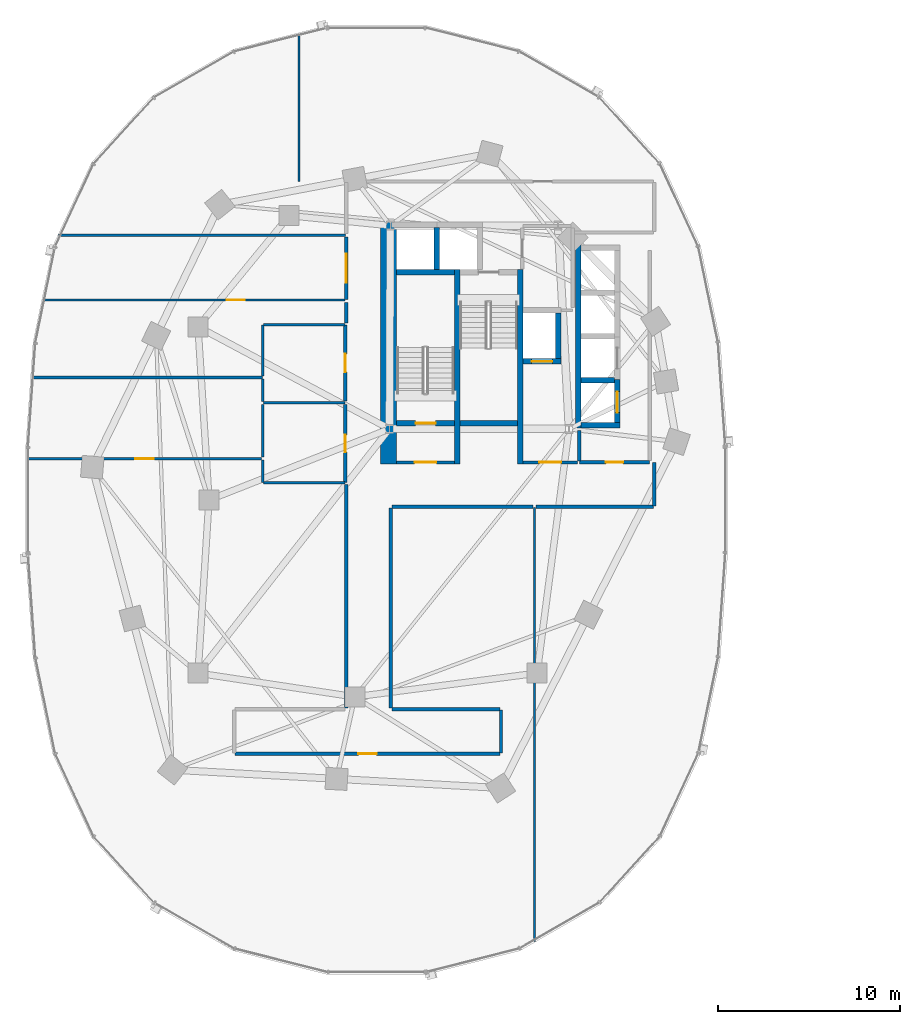
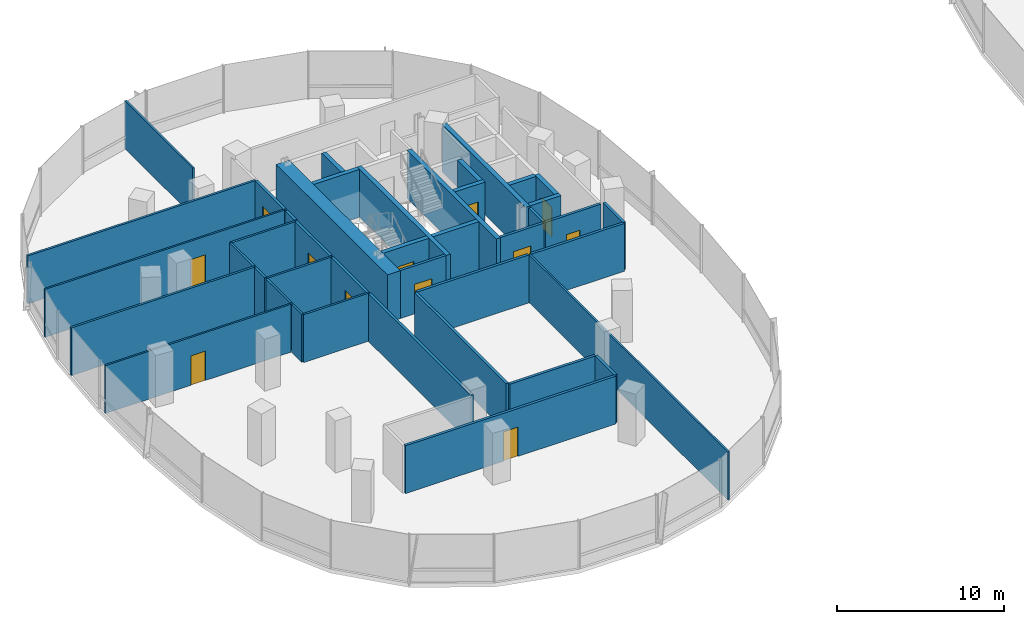
# One storey, part 11 of 21: 42 walls, 12 doors, 12 openings.
"""IFC4 building model written with IfcOpenShell, lengths in metres."""

from ifc_helpers import new_model, si_unit, direction, frame, frame_2d, origin, place, context, subcontext, project, spatial, rectangle, extrude, material, layer, layer_set, type_object, element, fill, save


model = new_model("IFC4")

# Units and contexts
model_context = context("Model", 3, precision=1e-05, world=origin(), true_north=direction((0.0, 1.0)))
body_context = subcontext(model_context, "Body", "Model", "MODEL_VIEW")
ifc_project = project(units=[si_unit("LENGTHUNIT", "METRE"), si_unit("AREAUNIT", "SQUARE_METRE"), si_unit("VOLUMEUNIT", "CUBIC_METRE"), si_unit("PLANEANGLEUNIT", "RADIAN"), si_unit("MASSUNIT", "GRAM", prefix="KILO"), si_unit("THERMODYNAMICTEMPERATUREUNIT", "KELVIN"), si_unit("POWERUNIT", "WATT")], contexts=[model_context])

# Site, building, storey
site_placement = place(None, origin())
site = spatial("IfcSite", under=ifc_project, at=site_placement, CompositionType="ELEMENT")
building_placement = place(site_placement, origin())
building = spatial("IfcBuilding", under=site, at=building_placement, Name="Cundina Bronze Exchange", CompositionType="ELEMENT")
storey_placement = place(building_placement, frame((0.0, 0.0, 31.60009765625)))
storey = spatial("IfcBuildingStorey", under=building, at=storey_placement, Name="L07", CompositionType="ELEMENT", Elevation=31.60009765625)

# Wall
ifc_material_1 = material(Name="Gypsum Fireboard Partition EI120")
ifc_layer_1 = layer(ifc_material_1, 0.179931640625, Name="Gypsum Fireboard Partition EI120")
ifc_layer_set_1 = layer_set([ifc_layer_1], Name="Gypsum Fireboard Partition EI120")
wall_type_1 = type_object("IfcWallType", Name="WL-COR-180", PredefinedType="PARTITIONING", material=ifc_layer_set_1)
wall_1_placement = place(storey_placement, frame((-20.889892578125, 2.14990234375, 0.0), z_axis=(0.0, 0.0, 1.0), x_axis=(0.0, 1.0, 0.0)))
element("IfcWall", 1, at=wall_1_placement, inside=storey, type_object=wall_type_1, Name="L07 W Firefighting Lobby Side Wall", PredefinedType="PARTITIONING", context=body_context, shape_type="SweptSolid", body=[
    extrude(rectangle(XDim=1.650146484375, YDim=0.179931640625, at=frame_2d((0.8251953125, 0.0))), origin(), (0.0, 0.0, 1.0), 3.5),
])

# Wall, opening, door
wall_2_placement = place(storey_placement, frame((-23.97998046875, 2.06005859375, 0.0), z_axis=(0.0, 0.0, 1.0), x_axis=(1.0, 0.0, 0.0)))
wall_2 = element("IfcWall", 2, at=wall_2_placement, inside=storey, type_object=wall_type_1, Name="L07 W Firefighting Lobby Exit Wall", PredefinedType="PARTITIONING", context=body_context, shape_type="SweptSolid", body=[
    extrude(rectangle(XDim=3.0, YDim=0.179931640625, at=frame_2d((1.5, 0.0))), origin(), (0.0, 0.0, 1.0), 3.5),
])
opening_1_placement = place(wall_2_placement, frame((0.89990234375, 0.0, 0.0)))
opening_1 = element("IfcOpeningElement", 3, at=opening_1_placement, cuts=wall_2, Name="Opening DF-01", PredefinedType="OPENING", context=body_context, shape_type="SweptSolid", body=[
    extrude(rectangle(XDim=1.199951171875, YDim=2.14990234375, at=frame_2d((0.60009765625, 1.074951171875))), frame((0.0, 0.099853515625, 0.0), z_axis=(0.0, -1.0, 0.0), x_axis=(1.0, 0.0, 0.0)), (0.0, 0.0, 1.0), 0.199951171875),
])
ifc_material_2 = material(Name="Steel ASTM A36 Painted", Category="steel")
door_type_1 = type_object("IfcDoorType", Name="DR-FFL-1200", OperationType="NOTDEFINED", PredefinedType="DOOR", material=ifc_material_2)
door_1_placement = place(opening_1_placement, origin())
door_1 = element("IfcDoor", 4, at=door_1_placement, inside=storey, type_object=door_type_1, Name="L07 W Firefighting Lobby Door", OperationType="SINGLE_SWING_RIGHT", OverallHeight=2.14990234375, OverallWidth=1.199951171875, PredefinedType="DOOR", context=body_context, shape_type="SweptSolid", body=[
    extrude(rectangle(XDim=1.199951171875, YDim=2.14990234375, at=frame_2d((0.60009765625, 1.074951171875))), frame((0.0, 0.02490234375, 0.0), z_axis=(0.0, -1.0, 0.0), x_axis=(1.0, 0.0, 0.0)), (0.0, 0.0, 1.0), 0.050048828125),
])
fill(opening_1, door_1)

wall_3_placement = place(storey_placement, frame((-30.89990234375, 2.06005859375, 0.0), z_axis=(0.0, 0.0, 1.0), x_axis=(1.0, 0.0, 0.0)))
wall_3 = element("IfcWall", 5, at=wall_3_placement, inside=storey, type_object=wall_type_1, Name="L07 W Stair Vestibule Exit Wall", PredefinedType="PARTITIONING", context=body_context, shape_type="SweptSolid", body=[
    extrude(rectangle(XDim=3.159912109375, YDim=0.179931640625, at=frame_2d((1.580078125, 0.0))), origin(), (0.0, 0.0, 1.0), 3.5),
])
opening_2_placement = place(wall_3_placement, frame((0.97998046875, 0.0, 0.0)))
opening_2 = element("IfcOpeningElement", 6, at=opening_2_placement, cuts=wall_3, Name="Opening DF-01", PredefinedType="OPENING", context=body_context, shape_type="SweptSolid", body=[
    extrude(rectangle(XDim=1.199951171875, YDim=2.14990234375, at=frame_2d((0.60009765625, 1.074951171875))), frame((0.0, 0.099853515625, 0.0), z_axis=(0.0, -1.0, 0.0), x_axis=(1.0, 0.0, 0.0)), (0.0, 0.0, 1.0), 0.199951171875),
])
door_2_placement = place(opening_2_placement, origin())
door_2 = element("IfcDoor", 7, at=door_2_placement, inside=storey, type_object=door_type_1, Name="L07 W Stair Vestibule Door", OperationType="SINGLE_SWING_LEFT", OverallHeight=2.14990234375, OverallWidth=1.199951171875, PredefinedType="DOOR", context=body_context, shape_type="SweptSolid", body=[
    extrude(rectangle(XDim=1.199951171875, YDim=2.14990234375, at=frame_2d((0.60009765625, 1.074951171875))), frame((0.0, 0.02490234375, 0.0), z_axis=(0.0, -1.0, 0.0), x_axis=(1.0, 0.0, 0.0)), (0.0, 0.0, 1.0), 0.050048828125),
])
fill(opening_2, door_2)

wall_4_placement = place(storey_placement, frame((-20.8701171875, 2.070068359375, 0.0), z_axis=(0.0, 0.0, 1.0), x_axis=(1.0, 0.0, 0.0)))
wall_4 = element("IfcWall", 8, at=wall_4_placement, inside=storey, type_object=wall_type_1, Name="L07 Interior Partition 002", PredefinedType="PARTITIONING", context=body_context, shape_type="SweptSolid", body=[
    extrude(rectangle(XDim=3.830078125, YDim=0.179931640625, at=frame_2d((1.9150390625, 0.0))), origin(), (0.0, 0.0, 1.0), 3.5),
])
opening_3_placement = place(wall_4_placement, frame((1.43994140625, 0.0, 0.0)))
opening_3 = element("IfcOpeningElement", 9, at=opening_3_placement, cuts=wall_4, Name="Opening DW-01", PredefinedType="OPENING", context=body_context, shape_type="SweptSolid", body=[
    extrude(rectangle(XDim=0.949951171875, YDim=2.10009765625, at=frame_2d((0.47509765625, 1.050048828125))), frame((0.0, 0.099853515625, 0.0), z_axis=(0.0, -1.0, 0.0), x_axis=(1.0, 0.0, 0.0)), (0.0, 0.0, 1.0), 0.199951171875),
])
ifc_material_3 = material(Name="Solid Andean Oak Timber Grade A", Category="wood")
door_type_2 = type_object("IfcDoorType", Name="DR-WC-950", OperationType="NOTDEFINED", PredefinedType="DOOR", material=ifc_material_3)
door_3_placement = place(opening_3_placement, origin())
door_3 = element("IfcDoor", 10, at=door_3_placement, inside=storey, type_object=door_type_2, Name="L07 Interior Door 002", OperationType="SINGLE_SWING_LEFT", OverallHeight=2.10009765625, OverallWidth=0.949951171875, PredefinedType="DOOR", context=body_context, shape_type="SweptSolid", body=[
    extrude(rectangle(XDim=0.949951171875, YDim=2.10009765625, at=frame_2d((0.47509765625, 1.050048828125))), frame((0.0, 0.02490234375, 0.0), z_axis=(0.0, -1.0, 0.0), x_axis=(1.0, 0.0, 0.0)), (0.0, 0.0, 1.0), 0.050048828125),
])
fill(opening_3, door_3)

wall_5_placement = place(storey_placement, frame((-33.719970703125, 0.969970703125, 0.0), z_axis=(0.0, 0.0, 1.0), x_axis=(0.0, 1.0, 0.0)))
wall_5 = element("IfcWall", 11, at=wall_5_placement, inside=storey, type_object=wall_type_1, Name="L07 Interior Partition 014", PredefinedType="PARTITIONING", context=body_context, shape_type="SweptSolid", body=[
    extrude(rectangle(XDim=4.260009765625, YDim=0.179931640625, at=frame_2d((2.1298828125, 0.0))), origin(), (0.0, 0.0, 1.0), 3.5),
])
opening_4_placement = place(wall_5_placement, frame((1.655029296875, 0.0, 0.0)))
opening_4 = element("IfcOpeningElement", 12, at=opening_4_placement, cuts=wall_5, Name="Opening DW-01", PredefinedType="OPENING", context=body_context, shape_type="SweptSolid", body=[
    extrude(rectangle(XDim=0.949951171875, YDim=2.10009765625, at=frame_2d((0.47509765625, 1.050048828125))), frame((0.0, 0.099853515625, 0.0), z_axis=(0.0, -1.0, 0.0), x_axis=(1.0, 0.0, 0.0)), (0.0, 0.0, 1.0), 0.199951171875),
])
door_4_placement = place(opening_4_placement, origin())
door_4 = element("IfcDoor", 13, at=door_4_placement, inside=storey, type_object=door_type_2, Name="L07 Interior Door 014", OperationType="SINGLE_SWING_LEFT", OverallHeight=2.10009765625, OverallWidth=0.949951171875, PredefinedType="DOOR", context=body_context, shape_type="SweptSolid", body=[
    extrude(rectangle(XDim=0.949951171875, YDim=2.10009765625, at=frame_2d((0.47509765625, 1.050048828125))), frame((0.0, 0.02490234375, 0.0), z_axis=(0.0, -1.0, 0.0), x_axis=(1.0, 0.0, 0.0)), (0.0, 0.0, 1.0), 0.050048828125),
])
fill(opening_4, door_4)

wall_6_placement = place(storey_placement, frame((-33.719970703125, 5.429931640625, 0.0), z_axis=(0.0, 0.0, 1.0), x_axis=(0.0, 1.0, 0.0)))
wall_6 = element("IfcWall", 14, at=wall_6_placement, inside=storey, type_object=wall_type_1, Name="L07 Interior Partition 015", PredefinedType="PARTITIONING", context=body_context, shape_type="SweptSolid", body=[
    extrude(rectangle(XDim=4.16015625, YDim=0.179931640625, at=frame_2d((2.080078125, 0.0))), origin(), (0.0, 0.0, 1.0), 3.5),
])
opening_5_placement = place(wall_6_placement, frame((1.580078125, 0.0, 0.0)))
opening_5 = element("IfcOpeningElement", 15, at=opening_5_placement, cuts=wall_6, Name="Opening DO-01", PredefinedType="OPENING", context=body_context, shape_type="SweptSolid", body=[
    extrude(rectangle(XDim=1.0, YDim=2.14990234375, at=frame_2d((0.5, 1.074951171875))), frame((0.0, 0.099853515625, 0.0), z_axis=(0.0, -1.0, 0.0), x_axis=(1.0, 0.0, 0.0)), (0.0, 0.0, 1.0), 0.199951171875),
])
door_type_3 = type_object("IfcDoorType", Name="DR-OFF-1000", OperationType="NOTDEFINED", PredefinedType="DOOR", material=ifc_material_3)
door_5_placement = place(opening_5_placement, origin())
door_5 = element("IfcDoor", 16, at=door_5_placement, inside=storey, type_object=door_type_3, Name="L07 Interior Door 015", OperationType="SINGLE_SWING_LEFT", OverallHeight=2.14990234375, OverallWidth=1.0, PredefinedType="DOOR", context=body_context, shape_type="SweptSolid", body=[
    extrude(rectangle(XDim=1.0, YDim=2.14990234375, at=frame_2d((0.5, 1.074951171875))), frame((0.0, 0.02490234375, 0.0), z_axis=(0.0, -1.0, 0.0), x_axis=(1.0, 0.0, 0.0)), (0.0, 0.0, 1.0), 0.050048828125),
])
fill(opening_5, door_5)

wall_7_placement = place(storey_placement, frame((-39.778564453125, -13.919921875, 0.0), z_axis=(0.0, 0.0, 1.0), x_axis=(1.0, 0.0, 0.0)))
wall_7 = element("IfcWall", 17, at=wall_7_placement, inside=storey, type_object=wall_type_1, Name="L07 Interior Partition 020", PredefinedType="PARTITIONING", context=body_context, shape_type="SweptSolid", body=[
    extrude(rectangle(XDim=14.55712890625, YDim=0.179931640625, at=frame_2d((7.278564453125, 0.0))), origin(), (0.0, 0.0, 1.0), 3.5),
])
opening_6_placement = place(wall_7_placement, frame((6.778564453125, 0.0, 0.0)))
opening_6 = element("IfcOpeningElement", 18, at=opening_6_placement, cuts=wall_7, Name="Opening DO-01", PredefinedType="OPENING", context=body_context, shape_type="SweptSolid", body=[
    extrude(rectangle(XDim=1.0, YDim=2.14990234375, at=frame_2d((0.5, 1.074951171875))), frame((0.0, 0.099853515625, 0.0), z_axis=(0.0, -1.0, 0.0), x_axis=(1.0, 0.0, 0.0)), (0.0, 0.0, 1.0), 0.199951171875),
])
door_6_placement = place(opening_6_placement, origin())
door_6 = element("IfcDoor", 19, at=door_6_placement, inside=storey, type_object=door_type_3, Name="L07 Interior Door 020", OperationType="SINGLE_SWING_RIGHT", OverallHeight=2.14990234375, OverallWidth=1.0, PredefinedType="DOOR", context=body_context, shape_type="SweptSolid", body=[
    extrude(rectangle(XDim=1.0, YDim=2.14990234375, at=frame_2d((0.5, 1.074951171875))), frame((0.0, 0.02490234375, 0.0), z_axis=(0.0, -1.0, 0.0), x_axis=(1.0, 0.0, 0.0)), (0.0, 0.0, 1.0), 0.050048828125),
])
fill(opening_6, door_6)

# Walls
wall_8_placement = place(storey_placement, frame((-33.669921875, 0.858642578125, 0.0), z_axis=(0.0, 0.0, 1.0), x_axis=(0.0, -1.0, 0.0)))
element("IfcWall", 20, at=wall_8_placement, inside=storey, type_object=wall_type_1, Name="L07 Interior Partition 021", PredefinedType="PARTITIONING", context=body_context, shape_type="SweptSolid", body=[
    extrude(rectangle(XDim=12.258544921875, YDim=0.179931640625, at=frame_2d((6.12939453125, 0.0))), origin(), (0.0, 0.0, 1.0), 3.5),
])
wall_9_placement = place(storey_placement, frame((-31.22998046875, -11.39990234375, 0.0), z_axis=(0.0, 0.0, 1.0), x_axis=(0.0, 1.0, 0.0)))
element("IfcWall", 21, at=wall_9_placement, inside=storey, type_object=wall_type_1, Name="L07 Interior Partition 022", PredefinedType="PARTITIONING", context=body_context, shape_type="SweptSolid", body=[
    extrude(rectangle(XDim=10.949951171875, YDim=0.179931640625, at=frame_2d((5.47509765625, 0.0))), origin(), (0.0, 0.0, 1.0), 3.5),
])
wall_10_placement = place(storey_placement, frame((-31.14990234375, -0.3701171875, 0.0), z_axis=(0.0, 0.0, 1.0), x_axis=(1.0, 0.0, 0.0)))
element("IfcWall", 22, at=wall_10_placement, inside=storey, type_object=wall_type_1, Name="L07 Interior Partition 023", PredefinedType="PARTITIONING", context=body_context, shape_type="SweptSolid", body=[
    extrude(rectangle(XDim=7.719970703125, YDim=0.179931640625, at=frame_2d((3.85986328125, 0.0))), origin(), (0.0, 0.0, 1.0), 3.5),
])
wall_11_placement = place(storey_placement, frame((-25.221435546875, -11.47998046875, 0.0), z_axis=(0.0, 0.0, 1.0), x_axis=(-1.0, 0.0, 0.0)))
element("IfcWall", 23, at=wall_11_placement, inside=storey, type_object=wall_type_1, Name="L07 Interior Partition 025", PredefinedType="PARTITIONING", context=body_context, shape_type="SweptSolid", body=[
    extrude(rectangle(XDim=5.928466796875, YDim=0.179931640625, at=frame_2d((2.96435546875, 0.0))), origin(), (0.0, 0.0, 1.0), 3.5),
])
wall_12_placement = place(storey_placement, frame((-25.179931640625, -13.87841796875, 0.0), z_axis=(0.0, 0.0, 1.0), x_axis=(0.0, 1.0, 0.0)))
element("IfcWall", 24, at=wall_12_placement, inside=storey, type_object=wall_type_1, Name="L07 Interior Partition 027", PredefinedType="PARTITIONING", context=body_context, shape_type="SweptSolid", body=[
    extrude(rectangle(XDim=2.35693359375, YDim=0.179931640625, at=frame_2d((1.178466796875, 0.0))), origin(), (0.0, 0.0, 1.0), 3.5),
])
wall_13_placement = place(storey_placement, frame((-23.25, -0.3701171875, 0.0), z_axis=(0.0, 0.0, 1.0), x_axis=(1.0, 0.0, 0.0)))
element("IfcWall", 25, at=wall_13_placement, inside=storey, type_object=wall_type_1, Name="L07 Interior Partition 029", PredefinedType="PARTITIONING", context=body_context, shape_type="SweptSolid", body=[
    extrude(rectangle(XDim=6.428466796875, YDim=0.179931640625, at=frame_2d((3.21435546875, 0.0))), origin(), (0.0, 0.0, 1.0), 3.5),
])
wall_14_placement = place(storey_placement, frame((-16.780029296875, -0.32861328125, 0.0), z_axis=(0.0, 0.0, 1.0), x_axis=(0.0, 1.0, 0.0)))
element("IfcWall", 26, at=wall_14_placement, inside=storey, type_object=wall_type_1, Name="L07 Interior Partition 033", PredefinedType="PARTITIONING", context=body_context, shape_type="SweptSolid", body=[
    extrude(rectangle(XDim=2.38720703125, YDim=0.179931640625, at=frame_2d((1.193603515625, 0.0))), origin(), (0.0, 0.0, 1.0), 3.5),
])
wall_15_placement = place(storey_placement, frame((-33.669921875, 10.830078125, 0.0), z_axis=(0.0, 0.0, 1.0), x_axis=(0.0, -1.0, 0.0)))
element("IfcWall", 27, at=wall_15_placement, inside=storey, type_object=wall_type_1, Name="L07 Interior Partition 034", PredefinedType="PARTITIONING", context=body_context, shape_type="SweptSolid", body=[
    extrude(rectangle(XDim=1.128662109375, YDim=0.179931640625, at=frame_2d((0.564453125, 0.0))), origin(), (0.0, 0.0, 1.0), 3.5),
])

# Wall, opening, door
wall_16_placement = place(storey_placement, frame((-33.669921875, 14.429931640625, 0.0), z_axis=(0.0, 0.0, 1.0), x_axis=(0.0, -1.0, 0.0)))
wall_16 = element("IfcWall", 28, at=wall_16_placement, inside=storey, type_object=wall_type_1, Name="L07 Interior Partition 035", PredefinedType="PARTITIONING", context=body_context, shape_type="SweptSolid", body=[
    extrude(rectangle(XDim=3.419921875, YDim=0.179931640625, at=frame_2d((1.7099609375, 0.0))), origin(), (0.0, 0.0, 1.0), 3.5),
])
opening_7_placement = place(wall_16_placement, frame((0.909912109375, 0.0, 0.0)))
opening_7 = element("IfcOpeningElement", 29, at=opening_7_placement, cuts=wall_16, Name="Opening DO-02", PredefinedType="OPENING", context=body_context, shape_type="SweptSolid", body=[
    extrude(rectangle(XDim=1.60009765625, YDim=2.199951171875, at=frame_2d((0.800048828125, 1.10009765625))), frame((0.0, 0.099853515625, 0.0), z_axis=(0.0, -1.0, 0.0), x_axis=(1.0, 0.0, 0.0)), (0.0, 0.0, 1.0), 0.199951171875),
])
door_type_4 = type_object("IfcDoorType", Name="DR-TRD-1600", OperationType="NOTDEFINED", PredefinedType="DOOR", material=ifc_material_3)
door_7_placement = place(opening_7_placement, origin())
door_7 = element("IfcDoor", 30, at=door_7_placement, inside=storey, type_object=door_type_4, Name="L07 Interior Door 035", OperationType="SINGLE_SWING_LEFT", OverallHeight=2.199951171875, OverallWidth=1.60009765625, PredefinedType="DOOR", context=body_context, shape_type="SweptSolid", body=[
    extrude(rectangle(XDim=1.60009765625, YDim=2.199951171875, at=frame_2d((0.800048828125, 1.10009765625))), frame((0.0, 0.02490234375, 0.0), z_axis=(0.0, -1.0, 0.0), x_axis=(1.0, 0.0, 0.0)), (0.0, 0.0, 1.0), 0.050048828125),
])
fill(opening_7, door_7)

# Walls
ifc_material_4 = material(Name="Concrete C60/75", Category="concrete")
ifc_layer_2 = layer(ifc_material_4, 0.89990234375, Name="Concrete C60/75", Category="concrete")
ifc_layer_set_2 = layer_set([ifc_layer_2], Name="Concrete C60/75")
wall_type_2 = type_object("IfcWallType", Name="WL-CORE-900", PredefinedType="SHEAR", material=ifc_layer_set_2)
wall_17_placement = place(storey_placement, frame((-31.35009765625, 1.969970703125, 0.0), z_axis=(0.0, 0.0, 1.0), x_axis=(0.0, 1.0, 0.0)))
element("IfcWall", 31, at=wall_17_placement, inside=storey, type_object=wall_type_2, Name="L07 W Primary Core Shear Spine Wall", PredefinedType="SHEAR", context=body_context, shape_type="SweptSolid", body=[
    extrude(rectangle(XDim=13.330078125, YDim=0.89990234375, at=frame_2d((6.6650390625, 0.0))), origin(), (0.0, 0.0, 1.0), 3.5),
])
ifc_material_5 = material(Name="Gypsum Acoustic Partition EI60")
ifc_layer_3 = layer(ifc_material_5, 0.125, Name="Gypsum Acoustic Partition EI60")
ifc_layer_set_3 = layer_set([ifc_layer_3], Name="Gypsum Acoustic Partition EI60")
wall_type_3 = type_object("IfcWallType", Name="WL-OFF-125", PredefinedType="PARTITIONING", material=ifc_layer_set_3)
wall_18_placement = place(storey_placement, frame((-23.340087890625, -24.220458984375, 0.0), z_axis=(0.0, 0.0, 1.0), x_axis=(0.0, 1.0, 0.0)))
element("IfcWall", 32, at=wall_18_placement, inside=storey, type_object=wall_type_3, Name="L07 Interior Partition 016", PredefinedType="PARTITIONING", context=body_context, shape_type="SweptSolid", body=[
    extrude(rectangle(XDim=23.820556640625, YDim=0.125, at=frame_2d((11.91015625, 0.0))), origin(), (0.0, 0.0, 1.0), 3.5),
])
wall_19_placement = place(storey_placement, frame((-36.260009765625, 17.469970703125, 0.0), z_axis=(0.0, 0.0, 1.0), x_axis=(0.0, 1.0, 0.0)))
element("IfcWall", 33, at=wall_19_placement, inside=storey, type_object=wall_type_3, Name="L07 Interior Partition 019", PredefinedType="PARTITIONING", context=body_context, shape_type="SweptSolid", body=[
    extrude(rectangle(XDim=8.121337890625, YDim=0.125, at=frame_2d((4.060546875, 0.0))), origin(), (0.0, 0.0, 1.0), 3.5),
])

# Wall, opening, door
wall_20_placement = place(storey_placement, frame((-38.320068359375, 2.27001953125, 0.0), z_axis=(0.0, 0.0, 1.0), x_axis=(-1.0, 0.0, 0.0)))
wall_20 = element("IfcWall", 34, at=wall_20_placement, inside=storey, type_object=wall_type_3, Name="L07 Interior Partition 036", PredefinedType="PARTITIONING", context=body_context, shape_type="SweptSolid", body=[
    extrude(rectangle(XDim=12.837890625, YDim=0.125, at=frame_2d((6.4189453125, 0.0))), origin(), (0.0, 0.0, 1.0), 3.5),
])
opening_8_placement = place(wall_20_placement, frame((5.9189453125, 0.0, 0.0)))
opening_8 = element("IfcOpeningElement", 35, at=opening_8_placement, cuts=wall_20, Name="Opening DO-01", PredefinedType="OPENING", context=body_context, shape_type="SweptSolid", body=[
    extrude(rectangle(XDim=1.0, YDim=2.14990234375, at=frame_2d((0.5, 1.074951171875))), frame((0.0, 0.072509765625, 0.0), z_axis=(0.0, -1.0, 0.0), x_axis=(1.0, 0.0, 0.0)), (0.0, 0.0, 1.0), 0.14501953125),
])
door_8_placement = place(opening_8_placement, origin())
door_8 = element("IfcDoor", 36, at=door_8_placement, inside=storey, type_object=door_type_3, Name="L07 Interior Door 036", OperationType="SINGLE_SWING_RIGHT", OverallHeight=2.14990234375, OverallWidth=1.0, PredefinedType="DOOR", context=body_context, shape_type="SweptSolid", body=[
    extrude(rectangle(XDim=1.0, YDim=2.14990234375, at=frame_2d((0.5, 1.074951171875))), frame((0.0, 0.02490234375, 0.0), z_axis=(0.0, -1.0, 0.0), x_axis=(1.0, 0.0, 0.0)), (0.0, 0.0, 1.0), 0.050048828125),
])
fill(opening_8, door_8)

wall_21_placement = place(storey_placement, frame((-50.301513671875, 10.969970703125, 0.0), z_axis=(0.0, 0.0, 1.0), x_axis=(1.0, 0.0, 0.0)))
wall_21 = element("IfcWall", 37, at=wall_21_placement, inside=storey, type_object=wall_type_3, Name="L07 Interior Partition 037", PredefinedType="PARTITIONING", context=body_context, shape_type="SweptSolid", body=[
    extrude(rectangle(XDim=16.551513671875, YDim=0.125, at=frame_2d((8.27587890625, 0.0))), origin(), (0.0, 0.0, 1.0), 3.5),
])
opening_9_placement = place(wall_21_placement, frame((10.072509765625, 0.0, 0.0)))
opening_9 = element("IfcOpeningElement", 38, at=opening_9_placement, cuts=wall_21, Name="Opening DO-01", PredefinedType="OPENING", context=body_context, shape_type="SweptSolid", body=[
    extrude(rectangle(XDim=1.0, YDim=2.14990234375, at=frame_2d((0.5, 1.074951171875))), frame((0.0, 0.072509765625, 0.0), z_axis=(0.0, -1.0, 0.0), x_axis=(1.0, 0.0, 0.0)), (0.0, 0.0, 1.0), 0.14501953125),
])
door_9_placement = place(opening_9_placement, origin())
door_9 = element("IfcDoor", 39, at=door_9_placement, inside=storey, type_object=door_type_3, Name="L07 Interior Door 037", OperationType="SINGLE_SWING_LEFT", OverallHeight=2.14990234375, OverallWidth=1.0, PredefinedType="DOOR", context=body_context, shape_type="SweptSolid", body=[
    extrude(rectangle(XDim=1.0, YDim=2.14990234375, at=frame_2d((0.5, 1.074951171875))), frame((0.0, 0.02490234375, 0.0), z_axis=(0.0, -1.0, 0.0), x_axis=(1.0, 0.0, 0.0)), (0.0, 0.0, 1.0), 0.050048828125),
])
fill(opening_9, door_9)

# Walls
ifc_material_6 = material(Name="Concrete C50/60", Category="concrete")
ifc_layer_4 = layer(ifc_material_6, 0.300048828125, Name="Concrete C50/60", Category="concrete")
ifc_layer_set_4 = layer_set([ifc_layer_4], Name="Concrete C50/60")
wall_type_4 = type_object("IfcWallType", Name="WL-SHFT-300", PredefinedType="SHEAR", material=ifc_layer_set_4)
for number, where, z_axis, x_axis, name in (
    (40, (-27.590087890625, 1.969970703125, 0.0), (0.0, 0.0, 1.0), (0.0, 1.0, 0.0), "L07 W Stair Shaft Dividing Shear Wall"),
    (41, (-24.1298828125, 1.969970703125, 0.0), (0.0, 0.0, 1.0), (0.0, 1.0, 0.0), "L07 W Stair 2 East Shear Wall"),
):
    element("IfcWall", number, at=place(storey_placement, frame(where, z_axis=z_axis, x_axis=x_axis)), inside=storey, type_object=wall_type_4, Name=name, PredefinedType="SHEAR", context=body_context, shape_type="SweptSolid", body=[
        extrude(rectangle(XDim=10.679931640625, YDim=0.300048828125, at=frame_2d((5.33984375, 0.0))), origin(), (0.0, 0.0, 1.0), 3.5),
    ])

# Wall, opening, door
wall_22_placement = place(storey_placement, frame((-30.89990234375, 4.199951171875, 0.0), z_axis=(0.0, 0.0, 1.0), x_axis=(1.0, 0.0, 0.0)))
wall_22 = element("IfcWall", 42, at=wall_22_placement, inside=storey, type_object=wall_type_4, Name="L07 Stair W1 Landing Wall", PredefinedType="SHEAR", context=body_context, shape_type="SweptSolid", body=[
    extrude(rectangle(XDim=3.159912109375, YDim=0.300048828125, at=frame_2d((1.580078125, 0.0))), origin(), (0.0, 0.0, 1.0), 3.5),
])
opening_10_placement = place(wall_22_placement, frame((1.030029296875, 0.0, 0.0)))
opening_10 = element("IfcOpeningElement", 43, at=opening_10_placement, cuts=wall_22, Name="Opening DS-01", PredefinedType="OPENING", context=body_context, shape_type="SweptSolid", body=[
    extrude(rectangle(XDim=1.10009765625, YDim=2.14990234375, at=frame_2d((0.550048828125, 1.074951171875))), frame((0.0, 0.159912109375, 0.0), z_axis=(0.0, -1.0, 0.0), x_axis=(1.0, 0.0, 0.0)), (0.0, 0.0, 1.0), 0.320068359375),
])
door_type_5 = type_object("IfcDoorType", Name="DR-STR-1100", OperationType="NOTDEFINED", PredefinedType="DOOR", material=ifc_material_2)
door_10_placement = place(opening_10_placement, origin())
door_10 = element("IfcDoor", 44, at=door_10_placement, inside=storey, type_object=door_type_5, Name="L07 Smokeproof Stair W1 Door", OperationType="SINGLE_SWING_RIGHT", OverallHeight=2.14990234375, OverallWidth=1.10009765625, PredefinedType="DOOR", context=body_context, shape_type="SweptSolid", body=[
    extrude(rectangle(XDim=1.10009765625, YDim=2.14990234375, at=frame_2d((0.550048828125, 1.074951171875))), frame((0.0, 0.02490234375, 0.0), z_axis=(0.0, -1.0, 0.0), x_axis=(1.0, 0.0, 0.0)), (0.0, 0.0, 1.0), 0.050048828125),
])
fill(opening_10, door_10)

# Walls
for number, where, z_axis, x_axis, name in (
    (45, (-30.89990234375, 12.5, 0.0), (0.0, 0.0, 1.0), (1.0, 0.0, 0.0), "L07 Stair W1 Far Shaft Wall"),
    (46, (-27.43994140625, 4.199951171875, 0.0), (0.0, 0.0, 1.0), (1.0, 0.0, 0.0), "L07 Stair W2 Far Shaft Wall"),
):
    element("IfcWall", number, at=place(storey_placement, frame(where, z_axis=z_axis, x_axis=x_axis)), inside=storey, type_object=wall_type_4, Name=name, PredefinedType="SHEAR", context=body_context, shape_type="SweptSolid", body=[
        extrude(rectangle(XDim=3.159912109375, YDim=0.300048828125, at=frame_2d((1.580078125, 0.0))), origin(), (0.0, 0.0, 1.0), 3.5),
    ])

# Wall, opening, door
wall_23_placement = place(storey_placement, frame((-23.97998046875, 7.60009765625, 0.0), z_axis=(0.0, 0.0, 1.0), x_axis=(1.0, 0.0, 0.0)))
wall_23 = element("IfcWall", 47, at=wall_23_placement, inside=storey, type_object=wall_type_4, Name="L07 FFL-W Hoistway Front Wall", PredefinedType="SHEAR", context=body_context, shape_type="SweptSolid", body=[
    extrude(rectangle(XDim=2.10009765625, YDim=0.300048828125, at=frame_2d((1.050048828125, 0.0))), origin(), (0.0, 0.0, 1.0), 3.5),
])
opening_11_placement = place(wall_23_placement, frame((0.47509765625, 0.0, 0.0)))
opening_11 = element("IfcOpeningElement", 48, at=opening_11_placement, cuts=wall_23, Name="Opening LD-01", PredefinedType="OPENING", context=body_context, shape_type="SweptSolid", body=[
    extrude(rectangle(XDim=1.14990234375, YDim=2.199951171875, at=frame_2d((0.574951171875, 1.10009765625))), frame((0.0, 0.159912109375, 0.0), z_axis=(0.0, -1.0, 0.0), x_axis=(1.0, 0.0, 0.0)), (0.0, 0.0, 1.0), 0.320068359375),
])
door_type_6 = type_object("IfcDoorType", Name="DR-LND-1150", OperationType="NOTDEFINED", PredefinedType="TRAPDOOR", material=ifc_material_2)
door_11_placement = place(opening_11_placement, origin())
door_11 = element("IfcDoor", 49, at=door_11_placement, inside=storey, type_object=door_type_6, Name="L07 FFL-W Sliding Landing Door", OperationType="SLIDING_TO_LEFT", OverallHeight=2.199951171875, OverallWidth=1.14990234375, PredefinedType="TRAPDOOR", context=body_context, shape_type="SweptSolid", body=[
    extrude(rectangle(XDim=1.14990234375, YDim=2.199951171875, at=frame_2d((0.574951171875, 1.10009765625))), frame((0.0, 0.02490234375, 0.0), z_axis=(0.0, -1.0, 0.0), x_axis=(1.0, 0.0, 0.0)), (0.0, 0.0, 1.0), 0.050048828125),
])
fill(opening_11, door_11)

# Walls
wall_24_placement = place(storey_placement, frame((-22.030029296875, 7.75, 0.0), z_axis=(0.0, 0.0, 1.0), x_axis=(0.0, 1.0, 0.0)))
element("IfcWall", 50, at=wall_24_placement, inside=storey, type_object=wall_type_4, Name="L07 FFL-W Hoistway Side Wall", PredefinedType="SHEAR", context=body_context, shape_type="SweptSolid", body=[
    extrude(rectangle(XDim=2.5, YDim=0.300048828125, at=frame_2d((1.25, 0.0))), origin(), (0.0, 0.0, 1.0), 3.5),
])
wall_25_placement = place(storey_placement, frame((-28.699951171875, 12.64990234375, 0.0), z_axis=(0.0, 0.0, 1.0), x_axis=(0.0, 1.0, 0.0)))
element("IfcWall", 51, at=wall_25_placement, inside=storey, type_object=wall_type_4, Name="L07 PH-W1 Hoistway Divider Wall", PredefinedType="SHEAR", context=body_context, shape_type="SweptSolid", body=[
    extrude(rectangle(XDim=2.300048828125, YDim=0.300048828125, at=frame_2d((1.14990234375, 0.0))), origin(), (0.0, 0.0, 1.0), 3.5),
])
wall_26_placement = place(storey_placement, frame((-20.949951171875, 3.949951171875, 0.0), z_axis=(0.0, 0.0, 1.0), x_axis=(0.0, 1.0, 0.0)))
element("IfcWall", 52, at=wall_26_placement, inside=storey, type_object=wall_type_4, Name="L07 W Passenger Bank Hoistway Back Wall", PredefinedType="SHEAR", context=body_context, shape_type="SweptSolid", body=[
    extrude(rectangle(XDim=10.050048828125, YDim=0.300048828125, at=frame_2d((5.02490234375, 0.0))), origin(), (0.0, 0.0, 1.0), 3.5),
])
wall_27_placement = place(storey_placement, frame((-20.800048828125, 4.10009765625, 0.0), z_axis=(0.0, 0.0, 1.0), x_axis=(1.0, 0.0, 0.0)))
element("IfcWall", 53, at=wall_27_placement, inside=storey, type_object=wall_type_4, Name="L07 W Passenger Bank South Cap Wall", PredefinedType="SHEAR", context=body_context, shape_type="SweptSolid", body=[
    extrude(rectangle(XDim=2.150146484375, YDim=0.300048828125, at=frame_2d((1.0751953125, 0.0))), origin(), (0.0, 0.0, 1.0), 3.5),
])
wall_28_placement = place(storey_placement, frame((-20.800048828125, 6.574951171875, 0.0), z_axis=(0.0, 0.0, 1.0), x_axis=(1.0, 0.0, 0.0)))
element("IfcWall", 54, at=wall_28_placement, inside=storey, type_object=wall_type_4, Name="L07 W Passenger Hoistway Divider 1", PredefinedType="SHEAR", context=body_context, shape_type="SweptSolid", body=[
    extrude(rectangle(XDim=1.85009765625, YDim=0.300048828125, at=frame_2d((0.925048828125, 0.0))), origin(), (0.0, 0.0, 1.0), 3.5),
])

# Wall, opening, door
wall_29_placement = place(storey_placement, frame((-18.800048828125, 4.1298828125, 0.0), z_axis=(0.0, 0.0, 1.0), x_axis=(0.0, 1.0, 0.0)))
wall_29 = element("IfcWall", 55, at=wall_29_placement, inside=storey, type_object=wall_type_4, Name="L07 PL-W2 Hoistway Front Wall", PredefinedType="SHEAR", context=body_context, shape_type="SweptSolid", body=[
    extrude(rectangle(XDim=2.490234375, YDim=0.300048828125, at=frame_2d((1.2451171875, 0.0))), origin(), (0.0, 0.0, 1.0), 3.5),
])
opening_12_placement = place(wall_29_placement, frame((0.669921875, 0.0, 0.0)))
opening_12 = element("IfcOpeningElement", 56, at=opening_12_placement, cuts=wall_29, Name="Opening LD-01", PredefinedType="OPENING", context=body_context, shape_type="SweptSolid", body=[
    extrude(rectangle(XDim=1.14990234375, YDim=2.199951171875, at=frame_2d((0.574951171875, 1.10009765625))), frame((0.0, 0.159912109375, 0.0), z_axis=(0.0, -1.0, 0.0), x_axis=(1.0, 0.0, 0.0)), (0.0, 0.0, 1.0), 0.320068359375),
])
door_12_placement = place(opening_12_placement, origin())
door_12 = element("IfcDoor", 57, at=door_12_placement, inside=storey, type_object=door_type_6, Name="L07 PL-W2 Sliding Landing Door", OperationType="SLIDING_TO_LEFT", OverallHeight=2.199951171875, OverallWidth=1.14990234375, PredefinedType="TRAPDOOR", context=body_context, shape_type="SweptSolid", body=[
    extrude(rectangle(XDim=1.14990234375, YDim=2.199951171875, at=frame_2d((0.574951171875, 1.10009765625))), frame((0.0, 0.02490234375, 0.0), z_axis=(0.0, -1.0, 0.0), x_axis=(1.0, 0.0, 0.0)), (0.0, 0.0, 1.0), 0.050048828125),
])
fill(opening_12, door_12)

# Walls
ifc_layer_5 = layer(ifc_material_5, 0.14990234375, Name="Gypsum Acoustic Partition EI60")
ifc_layer_set_5 = layer_set([ifc_layer_5], Name="Gypsum Acoustic Partition EI60")
wall_type_5 = type_object("IfcWallType", Name="WL-TEN-150", PredefinedType="PARTITIONING", material=ifc_layer_set_5)
wall_30_placement = place(storey_placement, frame((-50.941162109375, 6.719970703125, 0.0), z_axis=(0.0, 0.0, 1.0), x_axis=(1.0, 0.0, 0.0)))
element("IfcWall", 58, at=wall_30_placement, inside=storey, type_object=wall_type_5, Name="L07 Interior Partition 017", PredefinedType="PARTITIONING", context=body_context, shape_type="SweptSolid", body=[
    extrude(rectangle(XDim=12.671142578125, YDim=0.14990234375, at=frame_2d((6.33544921875, 0.0))), origin(), (0.0, 0.0, 1.0), 3.5),
])
wall_31_placement = place(storey_placement, frame((-49.4453125, 14.52001953125, 0.0), z_axis=(0.0, 0.0, 1.0), x_axis=(1.0, 0.0, 0.0)))
element("IfcWall", 59, at=wall_31_placement, inside=storey, type_object=wall_type_5, Name="L07 Interior Partition 018", PredefinedType="PARTITIONING", context=body_context, shape_type="SweptSolid", body=[
    extrude(rectangle(XDim=15.745361328125, YDim=0.14990234375, at=frame_2d((7.87255859375, 0.0))), origin(), (0.0, 0.0, 1.0), 3.5),
])
ifc_material_7 = material(Name="Moisture-Resistant Masonry Block Grade M15", Category="masonry")
ifc_layer_6 = layer(ifc_material_7, 0.139892578125, Name="Moisture-Resistant Masonry Block Grade M15", Category="masonry")
ifc_layer_set_6 = layer_set([ifc_layer_6], Name="Moisture-Resistant Masonry Block Grade M15")
wall_type_6 = type_object("IfcWallType", Name="WL-WET-140", PredefinedType="PARTITIONING", material=ifc_layer_set_6)
wall_32_placement = place(storey_placement, frame((-38.239990234375, 0.969970703125, 0.0), z_axis=(0.0, 0.0, 1.0), x_axis=(0.0, 1.0, 0.0)))
element("IfcWall", 60, at=wall_32_placement, inside=storey, type_object=wall_type_6, Name="L07 Interior Partition 007", PredefinedType="PARTITIONING", context=body_context, shape_type="SweptSolid", body=[
    extrude(rectangle(XDim=1.215087890625, YDim=0.139892578125, at=frame_2d((0.607421875, 0.0))), origin(), (0.0, 0.0, 1.0), 3.5),
])
wall_33_placement = place(storey_placement, frame((-38.239990234375, 2.35498046875, 0.0), z_axis=(0.0, 0.0, 1.0), x_axis=(0.0, 1.0, 0.0)))
element("IfcWall", 61, at=wall_33_placement, inside=storey, type_object=wall_type_6, Name="L07 Interior Partition 008", PredefinedType="PARTITIONING", context=body_context, shape_type="SweptSolid", body=[
    extrude(rectangle(XDim=2.89013671875, YDim=0.139892578125, at=frame_2d((1.445068359375, 0.0))), origin(), (0.0, 0.0, 1.0), 3.5),
])
wall_34_placement = place(storey_placement, frame((-38.239990234375, 5.4150390625, 0.0), z_axis=(0.0, 0.0, 1.0), x_axis=(0.0, 1.0, 0.0)))
element("IfcWall", 62, at=wall_34_placement, inside=storey, type_object=wall_type_6, Name="L07 Interior Partition 009", PredefinedType="PARTITIONING", context=body_context, shape_type="SweptSolid", body=[
    extrude(rectangle(XDim=1.219970703125, YDim=0.139892578125, at=frame_2d((0.60986328125, 0.0))), origin(), (0.0, 0.0, 1.0), 3.5),
])
wall_35_placement = place(storey_placement, frame((-38.239990234375, 6.804931640625, 0.0), z_axis=(0.0, 0.0, 1.0), x_axis=(0.0, 1.0, 0.0)))
element("IfcWall", 63, at=wall_35_placement, inside=storey, type_object=wall_type_6, Name="L07 Interior Partition 010", PredefinedType="PARTITIONING", context=body_context, shape_type="SweptSolid", body=[
    extrude(rectangle(XDim=2.78515625, YDim=0.139892578125, at=frame_2d((1.392578125, 0.0))), origin(), (0.0, 0.0, 1.0), 3.5),
])
for number, where, z_axis, x_axis, name in (
    (64, (-38.219970703125, 0.949951171875, 0.0), (0.0, 0.0, 1.0), (1.0, 0.0, 0.0), "L07 Interior Partition 011"),
    (65, (-38.219970703125, 5.330078125, 0.0), (0.0, 0.0, 1.0), (1.0, 0.0, 0.0), "L07 Interior Partition 012"),
    (66, (-38.219970703125, 9.610107421875, 0.0), (0.0, 0.0, 1.0), (1.0, 0.0, 0.0), "L07 Interior Partition 013"),
):
    element("IfcWall", number, at=place(storey_placement, frame(where, z_axis=z_axis, x_axis=x_axis)), inside=storey, type_object=wall_type_6, Name=name, PredefinedType="PARTITIONING", context=body_context, shape_type="SweptSolid", body=[
        extrude(rectangle(XDim=4.47998046875, YDim=0.139892578125, at=frame_2d((2.239990234375, 0.0))), origin(), (0.0, 0.0, 1.0), 3.5),
    ])

save(model, "model.ifc")
